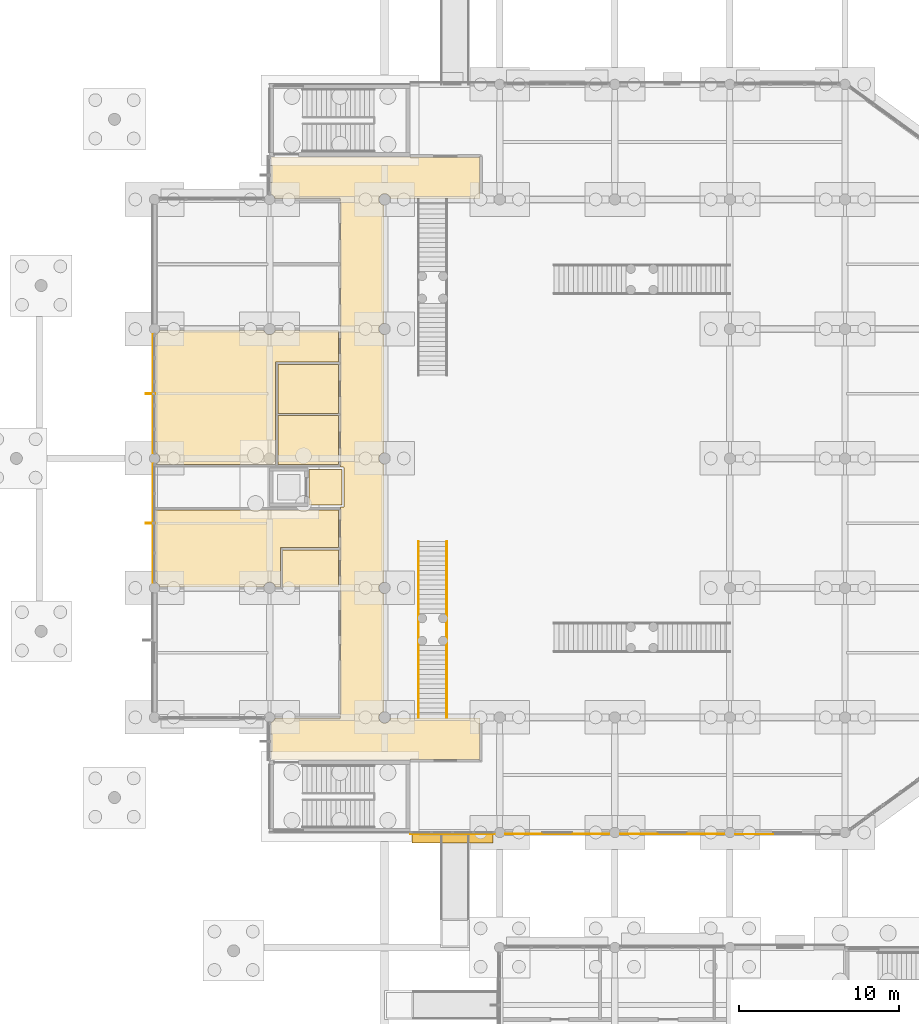
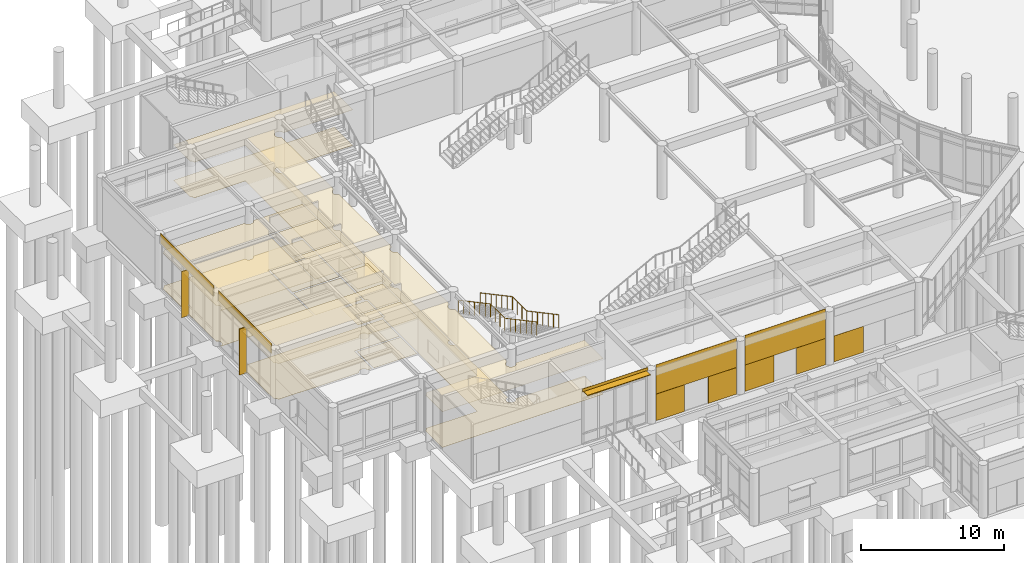
# One storey, part 79 of 103: 24 coverings, 3 shading devices, 2 railings.
"""IFC4 building model written with IfcOpenShell, lengths in metres."""

from ifc_helpers import new_model, si_unit, direction, frame, origin, origin_2d, place, context, subcontext, project, spatial, polyline, rectangle, circle, outline, extrude, material, layer, layer_set, type_object, element, save


model = new_model("IFC4")

# Units and contexts
model_context = context("Model", 3, precision=1e-05, world=origin(), true_north=direction((0.0, 1.0)))
body_context = subcontext(model_context, "Body", "Model", "MODEL_VIEW")
ifc_project = project(units=[si_unit("LENGTHUNIT", "METRE"), si_unit("AREAUNIT", "SQUARE_METRE"), si_unit("VOLUMEUNIT", "CUBIC_METRE"), si_unit("PLANEANGLEUNIT", "RADIAN"), si_unit("MASSUNIT", "GRAM", prefix="KILO")], contexts=[model_context])

# Site, building, storey
site_placement = place(None, origin())
site = spatial("IfcSite", under=ifc_project, at=site_placement, CompositionType="ELEMENT")
building_placement = place(site_placement, origin())
building = spatial("IfcBuilding", under=site, at=building_placement, Name="Namkhue Oval Health Centre", CompositionType="ELEMENT")
storey_placement = place(building_placement, origin())
storey = spatial("IfcBuildingStorey", under=building, at=storey_placement, Name="L00", CompositionType="ELEMENT", Elevation=0.0)

# Coverings
ifc_material_1 = material(Name="Acoustic mineral-fibre cleanroom ceiling", Category="gypsum")
ifc_layer_1 = layer(ifc_material_1, 0.02001953125)
ifc_layer_set_1 = layer_set([ifc_layer_1], Name="Acoustic mineral-fibre cleanroom ceiling")
covering_type_1 = type_object("IfcCoveringType", Name="ACOUSTIC CLEANROOM CEILING 20", PredefinedType="CEILING", material=ifc_layer_set_1)
covering_1_placement = place(storey_placement, frame((0.0, 0.0, 3.050048828125)))
element("IfcCovering", 1, at=covering_1_placement, inside=storey, type_object=covering_type_1, Name="Acoustic Ceiling L00-LL8 Lift Lobby LF-08", PredefinedType="CEILING", context=body_context, shape_type="SweptSolid", body=[
    extrude(outline(polyline([(24.080078125, 56.47998046875), (24.080078125, 58.719970703125), (26.1201171875, 58.719970703125), (26.1201171875, 56.47998046875), (24.080078125, 56.47998046875)])), origin(), (0.0, 0.0, 1.0), 0.02001953125),
])
covering_2_placement = place(storey_placement, frame((0.0, 0.0, 3.050048828125)))
element("IfcCovering", 2, at=covering_2_placement, inside=storey, type_object=covering_type_1, Name="Acoustic Ceiling L00-V1-C1 Main Concourse Corridor", PredefinedType="CEILING", context=body_context, shape_type="SweptSolid", body=[
    extrude(outline(polyline([(26.199951171875, 56.35009765625), (26.218994140625, 56.353759765625), (26.2353515625, 56.364501953125), (26.24609375, 56.380859375), (26.25, 56.39990234375), (26.249755859375, 58.804931640625), (26.244140625, 58.823486328125), (26.2353515625, 58.83544921875), (26.2236328125, 58.843994140625), (26.209716796875, 58.84912109375), (26.050048828125, 58.85009765625), (26.049072265625, 75.60986328125), (26.04150390625, 75.627685546875), (26.03173828125, 75.638671875), (26.01904296875, 75.646240234375), (26.0, 75.64990234375), (21.928466796875, 75.64990234375), (21.923583984375, 75.686767578125), (21.89013671875, 75.767578125), (21.8369140625, 75.8369140625), (21.767578125, 75.89013671875), (21.735107421875, 75.903564453125), (21.735107421875, 78.25), (34.75, 78.25), (34.75, 75.64990234375), (29.1533203125, 75.64990234375), (29.147705078125, 75.693115234375), (29.11181640625, 75.780029296875), (29.0546875, 75.8544921875), (28.97998046875, 75.911865234375), (28.893310546875, 75.94775390625), (28.800048828125, 75.9599609375), (28.706787109375, 75.94775390625), (28.6201171875, 75.911865234375), (28.54541015625, 75.8544921875), (28.48828125, 75.780029296875), (28.452392578125, 75.693115234375), (28.43994140625, 75.60009765625), (28.452392578125, 75.5068359375), (28.48828125, 75.419921875), (28.54541015625, 75.345458984375), (28.6201171875, 75.2880859375), (28.706787109375, 75.252197265625), (28.75, 75.24658203125), (28.75, 67.853515625), (28.706787109375, 67.84765625), (28.6201171875, 67.811767578125), (28.54541015625, 67.754638671875), (28.48828125, 67.679931640625), (28.452392578125, 67.59326171875), (28.43994140625, 67.5), (28.452392578125, 67.40673828125), (28.48828125, 67.320068359375), (28.54541015625, 67.245361328125), (28.6201171875, 67.188232421875), (28.706787109375, 67.15234375), (28.75, 67.146484375), (28.75, 59.75341796875), (28.706787109375, 59.747802734375), (28.6201171875, 59.7119140625), (28.54541015625, 59.654541015625), (28.48828125, 59.580078125), (28.452392578125, 59.4931640625), (28.43994140625, 59.39990234375), (28.452392578125, 59.306884765625), (28.48828125, 59.219970703125), (28.54541015625, 59.1455078125), (28.6201171875, 59.088134765625), (28.706787109375, 59.05224609375), (28.75, 59.046630859375), (28.75, 51.6533203125), (28.706787109375, 51.647705078125), (28.6201171875, 51.61181640625), (28.54541015625, 51.5546875), (28.48828125, 51.47998046875), (28.452392578125, 51.393310546875), (28.43994140625, 51.300048828125), (28.452392578125, 51.206787109375), (28.48828125, 51.1201171875), (28.54541015625, 51.04541015625), (28.6201171875, 50.98828125), (28.706787109375, 50.952392578125), (28.75, 50.946533203125), (28.75, 43.553466796875), (28.706787109375, 43.547607421875), (28.6201171875, 43.51171875), (28.54541015625, 43.45458984375), (28.48828125, 43.3798828125), (28.452392578125, 43.293212890625), (28.43994140625, 43.199951171875), (28.452392578125, 43.106689453125), (28.48828125, 43.02001953125), (28.54541015625, 42.9453125), (28.6201171875, 42.88818359375), (28.706787109375, 42.852294921875), (28.800048828125, 42.840087890625), (28.893310546875, 42.852294921875), (28.97998046875, 42.88818359375), (29.0546875, 42.9453125), (29.11181640625, 43.02001953125), (29.147705078125, 43.106689453125), (29.1533203125, 43.14990234375), (34.75, 43.14990234375), (34.75, 40.550048828125), (21.735107421875, 40.550048828125), (21.735107421875, 42.896484375), (21.767578125, 42.909912109375), (21.8369140625, 42.963134765625), (21.89013671875, 43.032470703125), (21.923583984375, 43.11328125), (21.928466796875, 43.14990234375), (26.0, 43.14990234375), (26.014404296875, 43.152099609375), (26.02783203125, 43.158447265625), (26.04150390625, 43.172119140625), (26.0478515625, 43.185546875), (26.050048828125, 43.199951171875), (26.050048828125, 56.35009765625), (26.199951171875, 56.35009765625)])), origin(), (0.0, 0.0, 1.0), 0.02001953125),
])
covering_3_placement = place(storey_placement, frame((0.0, 0.0, 3.050048828125)))
element("IfcCovering", 3, at=covering_3_placement, inside=storey, type_object=covering_type_1, Name="Acoustic Ceiling L00-102 Accessible WC", PredefinedType="CEILING", context=body_context, shape_type="SweptSolid", body=[
    extrude(outline(polyline([(25.919921875, 53.679931640625), (25.919921875, 51.3701171875), (22.419921875, 51.3701171875), (22.419921875, 53.679931640625), (25.919921875, 53.679931640625)])), origin(), (0.0, 0.0, 1.0), 0.02001953125),
])
covering_4_placement = place(storey_placement, frame((0.0, 0.0, 3.050048828125)))
element("IfcCovering", 4, at=covering_4_placement, inside=storey, type_object=covering_type_1, Name="Acoustic Ceiling L00-103 Baby Care and Lactation Room", PredefinedType="CEILING", context=body_context, shape_type="SweptSolid", body=[
    extrude(outline(polyline([(22.280029296875, 53.820068359375), (22.280029296875, 51.3701171875), (21.95068359375, 51.3701171875), (21.94775390625, 51.393310546875), (21.911865234375, 51.47998046875), (21.8544921875, 51.5546875), (21.780029296875, 51.61181640625), (21.693115234375, 51.647705078125), (21.60009765625, 51.659912109375), (21.5068359375, 51.647705078125), (21.419921875, 51.61181640625), (21.345458984375, 51.5546875), (21.2880859375, 51.47998046875), (21.252197265625, 51.393310546875), (21.249267578125, 51.3701171875), (14.725830078125, 51.3701171875), (14.7236328125, 51.38671875), (14.690185546875, 51.467529296875), (14.636962890625, 51.536865234375), (14.5673828125, 51.590087890625), (14.485107421875, 51.623779296875), (14.485107421875, 56.169921875), (25.919921875, 56.169921875), (25.919921875, 53.820068359375), (22.280029296875, 53.820068359375)])), origin(), (0.0, 0.0, 1.0), 0.02001953125),
])
covering_5_placement = place(storey_placement, frame((0.0, 0.0, 3.050048828125)))
element("IfcCovering", 5, at=covering_5_placement, inside=storey, type_object=covering_type_1, Name="Acoustic Ceiling L00-104 Male Public Washroom", PredefinedType="CEILING", context=body_context, shape_type="SweptSolid", body=[
    extrude(outline(polyline([(25.919921875, 62.080078125), (25.919921875, 59.02001953125), (22.1201171875, 59.02001953125), (22.1201171875, 62.080078125), (25.919921875, 62.080078125)])), origin(), (0.0, 0.0, 1.0), 0.02001953125),
])
covering_6_placement = place(storey_placement, frame((0.0, 0.0, 3.050048828125)))
element("IfcCovering", 6, at=covering_6_placement, inside=storey, type_object=covering_type_1, Name="Acoustic Ceiling L00-105 Female Public Washroom", PredefinedType="CEILING", context=body_context, shape_type="SweptSolid", body=[
    extrude(outline(polyline([(25.919921875, 65.280029296875), (25.919921875, 62.219970703125), (22.1201171875, 62.219970703125), (22.1201171875, 65.280029296875), (25.919921875, 65.280029296875)])), origin(), (0.0, 0.0, 1.0), 0.02001953125),
])
covering_7_placement = place(storey_placement, frame((0.0, 0.0, 3.050048828125)))
element("IfcCovering", 7, at=covering_7_placement, inside=storey, type_object=covering_type_1, Name="Acoustic Ceiling L00-106 Pharmacy Cold Chain Store", PredefinedType="CEILING", context=body_context, shape_type="SweptSolid", body=[
    extrude(outline(polyline([(21.97998046875, 65.419921875), (21.97998046875, 59.02001953125), (14.485107421875, 59.02001953125), (14.485107421875, 59.076171875), (14.5673828125, 59.10986328125), (14.636962890625, 59.1630859375), (14.690185546875, 59.232421875), (14.7236328125, 59.313232421875), (14.735107421875, 59.39990234375), (14.7236328125, 59.48681640625), (14.690185546875, 59.5673828125), (14.636962890625, 59.636962890625), (14.5673828125, 59.690185546875), (14.485107421875, 59.723876953125), (14.485107421875, 67.17626953125), (14.5673828125, 67.2099609375), (14.636962890625, 67.26318359375), (14.690185546875, 67.33251953125), (14.724609375, 67.419921875), (21.25048828125, 67.419921875), (21.252197265625, 67.40673828125), (21.2880859375, 67.320068359375), (21.345458984375, 67.245361328125), (21.419921875, 67.188232421875), (21.5068359375, 67.15234375), (21.60009765625, 67.139892578125), (21.693115234375, 67.15234375), (21.780029296875, 67.188232421875), (21.8544921875, 67.245361328125), (21.911865234375, 67.320068359375), (21.94775390625, 67.40673828125), (21.949462890625, 67.419921875), (25.919921875, 67.419921875), (25.919921875, 65.419921875), (21.97998046875, 65.419921875)])), origin(), (0.0, 0.0, 1.0), 0.02001953125),
])
ifc_material_2 = material(Name="Homogeneous anti-bacterial clinical vinyl flooring", Category="plastic")
ifc_layer_2 = layer(ifc_material_2, 0.014892578125)
ifc_layer_set_2 = layer_set([ifc_layer_2], Name="Homogeneous anti-bacterial clinical vinyl flooring")
covering_type_2 = type_object("IfcCoveringType", Name="CLINICAL ANTIBACTERIAL VINYL FLOORING 15", PredefinedType="FLOORING", material=ifc_layer_set_2)
covering_8_placement = place(storey_placement, origin())
element("IfcCovering", 8, at=covering_8_placement, inside=storey, type_object=covering_type_2, Name="Clinical Flooring L00-LL8 Lift Lobby LF-08", PredefinedType="FLOORING", context=body_context, shape_type="SweptSolid", body=[
    extrude(outline(polyline([(24.080078125, 56.47998046875), (24.080078125, 58.719970703125), (26.1201171875, 58.719970703125), (26.1201171875, 56.47998046875), (24.080078125, 56.47998046875)])), origin(), (0.0, 0.0, 1.0), 0.014892578125),
])
covering_9_placement = place(storey_placement, origin())
element("IfcCovering", 9, at=covering_9_placement, inside=storey, type_object=covering_type_2, Name="Clinical Flooring L00-V1-C1 Main Concourse Corridor", PredefinedType="FLOORING", context=body_context, shape_type="SweptSolid", body=[
    extrude(outline(polyline([(26.199951171875, 56.35009765625), (26.218994140625, 56.353759765625), (26.2353515625, 56.364501953125), (26.24609375, 56.380859375), (26.25, 56.39990234375), (26.249755859375, 58.804931640625), (26.244140625, 58.823486328125), (26.2353515625, 58.83544921875), (26.2236328125, 58.843994140625), (26.209716796875, 58.84912109375), (26.050048828125, 58.85009765625), (26.049072265625, 75.60986328125), (26.04150390625, 75.627685546875), (26.03173828125, 75.638671875), (26.01904296875, 75.646240234375), (26.0, 75.64990234375), (21.928466796875, 75.64990234375), (21.923583984375, 75.686767578125), (21.89013671875, 75.767578125), (21.8369140625, 75.8369140625), (21.767578125, 75.89013671875), (21.735107421875, 75.903564453125), (21.735107421875, 78.25), (34.75, 78.25), (34.75, 75.64990234375), (29.1533203125, 75.64990234375), (29.147705078125, 75.693115234375), (29.11181640625, 75.780029296875), (29.0546875, 75.8544921875), (28.97998046875, 75.911865234375), (28.893310546875, 75.94775390625), (28.800048828125, 75.9599609375), (28.706787109375, 75.94775390625), (28.6201171875, 75.911865234375), (28.54541015625, 75.8544921875), (28.48828125, 75.780029296875), (28.452392578125, 75.693115234375), (28.43994140625, 75.60009765625), (28.452392578125, 75.5068359375), (28.48828125, 75.419921875), (28.54541015625, 75.345458984375), (28.6201171875, 75.2880859375), (28.706787109375, 75.252197265625), (28.75, 75.24658203125), (28.75, 67.853515625), (28.706787109375, 67.84765625), (28.6201171875, 67.811767578125), (28.54541015625, 67.754638671875), (28.48828125, 67.679931640625), (28.452392578125, 67.59326171875), (28.43994140625, 67.5), (28.452392578125, 67.40673828125), (28.48828125, 67.320068359375), (28.54541015625, 67.245361328125), (28.6201171875, 67.188232421875), (28.706787109375, 67.15234375), (28.75, 67.146484375), (28.75, 59.75341796875), (28.706787109375, 59.747802734375), (28.6201171875, 59.7119140625), (28.54541015625, 59.654541015625), (28.48828125, 59.580078125), (28.452392578125, 59.4931640625), (28.43994140625, 59.39990234375), (28.452392578125, 59.306884765625), (28.48828125, 59.219970703125), (28.54541015625, 59.1455078125), (28.6201171875, 59.088134765625), (28.706787109375, 59.05224609375), (28.75, 59.046630859375), (28.75, 51.6533203125), (28.706787109375, 51.647705078125), (28.6201171875, 51.61181640625), (28.54541015625, 51.5546875), (28.48828125, 51.47998046875), (28.452392578125, 51.393310546875), (28.43994140625, 51.300048828125), (28.452392578125, 51.206787109375), (28.48828125, 51.1201171875), (28.54541015625, 51.04541015625), (28.6201171875, 50.98828125), (28.706787109375, 50.952392578125), (28.75, 50.946533203125), (28.75, 43.553466796875), (28.706787109375, 43.547607421875), (28.6201171875, 43.51171875), (28.54541015625, 43.45458984375), (28.48828125, 43.3798828125), (28.452392578125, 43.293212890625), (28.43994140625, 43.199951171875), (28.452392578125, 43.106689453125), (28.48828125, 43.02001953125), (28.54541015625, 42.9453125), (28.6201171875, 42.88818359375), (28.706787109375, 42.852294921875), (28.800048828125, 42.840087890625), (28.893310546875, 42.852294921875), (28.97998046875, 42.88818359375), (29.0546875, 42.9453125), (29.11181640625, 43.02001953125), (29.147705078125, 43.106689453125), (29.1533203125, 43.14990234375), (34.75, 43.14990234375), (34.75, 40.550048828125), (21.735107421875, 40.550048828125), (21.735107421875, 42.896484375), (21.767578125, 42.909912109375), (21.8369140625, 42.963134765625), (21.89013671875, 43.032470703125), (21.923583984375, 43.11328125), (21.928466796875, 43.14990234375), (26.0, 43.14990234375), (26.014404296875, 43.152099609375), (26.02783203125, 43.158447265625), (26.04150390625, 43.172119140625), (26.0478515625, 43.185546875), (26.050048828125, 43.199951171875), (26.050048828125, 56.35009765625), (26.199951171875, 56.35009765625)])), origin(), (0.0, 0.0, 1.0), 0.014892578125),
])
covering_10_placement = place(storey_placement, origin())
element("IfcCovering", 10, at=covering_10_placement, inside=storey, type_object=covering_type_2, Name="Clinical Flooring L00-102 Accessible WC", PredefinedType="FLOORING", context=body_context, shape_type="SweptSolid", body=[
    extrude(outline(polyline([(25.919921875, 53.679931640625), (25.919921875, 51.3701171875), (22.419921875, 51.3701171875), (22.419921875, 53.679931640625), (25.919921875, 53.679931640625)])), origin(), (0.0, 0.0, 1.0), 0.014892578125),
])
covering_11_placement = place(storey_placement, origin())
element("IfcCovering", 11, at=covering_11_placement, inside=storey, type_object=covering_type_2, Name="Clinical Flooring L00-103 Baby Care and Lactation Room", PredefinedType="FLOORING", context=body_context, shape_type="SweptSolid", body=[
    extrude(outline(polyline([(22.280029296875, 53.820068359375), (22.280029296875, 51.3701171875), (21.95068359375, 51.3701171875), (21.94775390625, 51.393310546875), (21.911865234375, 51.47998046875), (21.8544921875, 51.5546875), (21.780029296875, 51.61181640625), (21.693115234375, 51.647705078125), (21.60009765625, 51.659912109375), (21.5068359375, 51.647705078125), (21.419921875, 51.61181640625), (21.345458984375, 51.5546875), (21.2880859375, 51.47998046875), (21.252197265625, 51.393310546875), (21.249267578125, 51.3701171875), (14.725830078125, 51.3701171875), (14.7236328125, 51.38671875), (14.690185546875, 51.467529296875), (14.636962890625, 51.536865234375), (14.5673828125, 51.590087890625), (14.485107421875, 51.623779296875), (14.485107421875, 56.169921875), (25.919921875, 56.169921875), (25.919921875, 53.820068359375), (22.280029296875, 53.820068359375)])), origin(), (0.0, 0.0, 1.0), 0.014892578125),
])
covering_12_placement = place(storey_placement, origin())
element("IfcCovering", 12, at=covering_12_placement, inside=storey, type_object=covering_type_2, Name="Clinical Flooring L00-104 Male Public Washroom", PredefinedType="FLOORING", context=body_context, shape_type="SweptSolid", body=[
    extrude(outline(polyline([(25.919921875, 62.080078125), (25.919921875, 59.02001953125), (22.1201171875, 59.02001953125), (22.1201171875, 62.080078125), (25.919921875, 62.080078125)])), origin(), (0.0, 0.0, 1.0), 0.014892578125),
])
covering_13_placement = place(storey_placement, origin())
element("IfcCovering", 13, at=covering_13_placement, inside=storey, type_object=covering_type_2, Name="Clinical Flooring L00-105 Female Public Washroom", PredefinedType="FLOORING", context=body_context, shape_type="SweptSolid", body=[
    extrude(outline(polyline([(25.919921875, 65.280029296875), (25.919921875, 62.219970703125), (22.1201171875, 62.219970703125), (22.1201171875, 65.280029296875), (25.919921875, 65.280029296875)])), origin(), (0.0, 0.0, 1.0), 0.014892578125),
])
covering_14_placement = place(storey_placement, origin())
element("IfcCovering", 14, at=covering_14_placement, inside=storey, type_object=covering_type_2, Name="Clinical Flooring L00-106 Pharmacy Cold Chain Store", PredefinedType="FLOORING", context=body_context, shape_type="SweptSolid", body=[
    extrude(outline(polyline([(21.97998046875, 65.419921875), (21.97998046875, 59.02001953125), (14.485107421875, 59.02001953125), (14.485107421875, 59.076171875), (14.5673828125, 59.10986328125), (14.636962890625, 59.1630859375), (14.690185546875, 59.232421875), (14.7236328125, 59.313232421875), (14.735107421875, 59.39990234375), (14.7236328125, 59.48681640625), (14.690185546875, 59.5673828125), (14.636962890625, 59.636962890625), (14.5673828125, 59.690185546875), (14.485107421875, 59.723876953125), (14.485107421875, 67.17626953125), (14.5673828125, 67.2099609375), (14.636962890625, 67.26318359375), (14.690185546875, 67.33251953125), (14.724609375, 67.419921875), (21.25048828125, 67.419921875), (21.252197265625, 67.40673828125), (21.2880859375, 67.320068359375), (21.345458984375, 67.245361328125), (21.419921875, 67.188232421875), (21.5068359375, 67.15234375), (21.60009765625, 67.139892578125), (21.693115234375, 67.15234375), (21.780029296875, 67.188232421875), (21.8544921875, 67.245361328125), (21.911865234375, 67.320068359375), (21.94775390625, 67.40673828125), (21.949462890625, 67.419921875), (25.919921875, 67.419921875), (25.919921875, 65.419921875), (21.97998046875, 65.419921875)])), origin(), (0.0, 0.0, 1.0), 0.014892578125),
])

# Railings
ifc_material_3 = material(Name="Brushed stainless steel 316L balustrade with laminated glass infill", Category="steel")
railing_type = type_object("IfcRailingType", Name="INTERIOR BALUSTRADE GUARD 1150", PredefinedType="BALUSTRADE", material=ifc_material_3)
railing_1_placement = place(storey_placement, frame((32.68994140625, 54.195068359375, 0.0)))
element("IfcRailing", 15, at=railing_1_placement, inside=storey, type_object=railing_type, Name="Waiting Hall South Gallery Feature Stair Balustrade Guard L", PredefinedType="BALUSTRADE", context=body_context, shape_type="SweptSolid", body=[
    extrude(circle(Radius=0.02392578125, at=origin_2d()), frame((0.0, 0.0, 1.1259765625), z_axis=(0.0, -0.882148612025, 0.470971152303), x_axis=(1.0, 0.0, 0.0)), (0.0, 0.0, 1.0), 5.095703125),
    extrude(circle(Radius=0.02392578125, at=origin_2d()), frame((0.0, -4.4951171875, 3.52587890625), z_axis=(0.0, -1.0, 0.0), x_axis=(1.0, 0.0, 0.0)), (0.0, 0.0, 1.0), 2.010009765625),
    extrude(circle(Radius=0.02392578125, at=origin_2d()), frame((0.0, -6.505126953125, 3.52587890625), z_axis=(0.0, -0.882118076439, 0.471028342267), x_axis=(1.0, 0.0, 0.0)), (0.0, 0.0, 1.0), 5.095458984375),
    extrude(circle(Radius=0.02099609375, at=origin_2d()), origin(), (0.0, 0.0, 1.0), 1.101806640625),
    extrude(circle(Radius=0.02099609375, at=origin_2d()), frame((0.0, -0.749267578125, 0.39990234375)), (0.0, 0.0, 1.0), 1.101806640625),
    extrude(circle(Radius=0.02099609375, at=origin_2d()), frame((0.0, -1.498291015625, 0.800048828125)), (0.0, 0.0, 1.0), 1.101806640625),
    extrude(circle(Radius=0.02099609375, at=origin_2d()), frame((0.0, -2.24755859375, 1.199951171875)), (0.0, 0.0, 1.0), 1.101806640625),
    extrude(circle(Radius=0.02099609375, at=origin_2d()), frame((0.0, -2.996826171875, 1.599853515625)), (0.0, 0.0, 1.0), 1.101806640625),
    extrude(circle(Radius=0.02099609375, at=origin_2d()), frame((0.0, -3.745849609375, 2.0)), (0.0, 0.0, 1.0), 1.101806640625),
    extrude(circle(Radius=0.02099609375, at=origin_2d()), frame((0.0, -4.4951171875, 2.39990234375)), (0.0, 0.0, 1.0), 1.101806640625),
    extrude(circle(Radius=0.02099609375, at=origin_2d()), frame((0.0, -5.1650390625, 2.39990234375)), (0.0, 0.0, 1.0), 1.101806640625),
    extrude(circle(Radius=0.02099609375, at=origin_2d()), frame((0.0, -5.835205078125, 2.39990234375)), (0.0, 0.0, 1.0), 1.101806640625),
    extrude(circle(Radius=0.02099609375, at=origin_2d()), frame((0.0, -6.505126953125, 2.39990234375)), (0.0, 0.0, 1.0), 1.101806640625),
    extrude(circle(Radius=0.02099609375, at=origin_2d()), frame((0.0, -7.25439453125, 2.7998046875)), (0.0, 0.0, 1.0), 1.101806640625),
    extrude(circle(Radius=0.02099609375, at=origin_2d()), frame((0.0, -8.00341796875, 3.199951171875)), (0.0, 0.0, 1.0), 1.101806640625),
    extrude(circle(Radius=0.02099609375, at=origin_2d()), frame((0.0, -8.75244140625, 3.60009765625)), (0.0, 0.0, 1.0), 1.101806640625),
    extrude(circle(Radius=0.02099609375, at=origin_2d()), frame((0.0, -9.501708984375, 4.0)), (0.0, 0.0, 1.0), 1.101806640625),
    extrude(circle(Radius=0.02099609375, at=origin_2d()), frame((0.0, -10.2509765625, 4.39990234375)), (0.0, 0.0, 1.0), 1.101806640625),
    extrude(circle(Radius=0.02099609375, at=origin_2d()), frame((0.0, -11.0, 4.800048828125)), (0.0, 0.0, 1.0), 1.101806640625),
])
railing_2_placement = place(storey_placement, frame((30.909912109375, 54.195068359375, 0.0)))
element("IfcRailing", 16, at=railing_2_placement, inside=storey, type_object=railing_type, Name="Waiting Hall South Gallery Feature Stair Balustrade Guard R", PredefinedType="BALUSTRADE", context=body_context, shape_type="SweptSolid", body=[
    extrude(circle(Radius=0.02392578125, at=origin_2d()), frame((0.0, 0.0, 1.1259765625), z_axis=(0.0, -0.882148612025, 0.470971152303), x_axis=(1.0, 0.0, 0.0)), (0.0, 0.0, 1.0), 5.095703125),
    extrude(circle(Radius=0.02392578125, at=origin_2d()), frame((0.0, -4.4951171875, 3.52587890625), z_axis=(0.0, -1.0, 0.0), x_axis=(1.0, 0.0, 0.0)), (0.0, 0.0, 1.0), 2.010009765625),
    extrude(circle(Radius=0.02392578125, at=origin_2d()), frame((0.0, -6.505126953125, 3.52587890625), z_axis=(0.0, -0.882118076439, 0.471028342267), x_axis=(1.0, 0.0, 0.0)), (0.0, 0.0, 1.0), 5.095458984375),
    extrude(circle(Radius=0.02099609375, at=origin_2d()), origin(), (0.0, 0.0, 1.0), 1.101806640625),
    extrude(circle(Radius=0.02099609375, at=origin_2d()), frame((0.0, -0.749267578125, 0.39990234375)), (0.0, 0.0, 1.0), 1.101806640625),
    extrude(circle(Radius=0.02099609375, at=origin_2d()), frame((0.0, -1.498291015625, 0.800048828125)), (0.0, 0.0, 1.0), 1.101806640625),
    extrude(circle(Radius=0.02099609375, at=origin_2d()), frame((0.0, -2.24755859375, 1.199951171875)), (0.0, 0.0, 1.0), 1.101806640625),
    extrude(circle(Radius=0.02099609375, at=origin_2d()), frame((0.0, -2.996826171875, 1.599853515625)), (0.0, 0.0, 1.0), 1.101806640625),
    extrude(circle(Radius=0.02099609375, at=origin_2d()), frame((0.0, -3.745849609375, 2.0)), (0.0, 0.0, 1.0), 1.101806640625),
    extrude(circle(Radius=0.02099609375, at=origin_2d()), frame((0.0, -4.4951171875, 2.39990234375)), (0.0, 0.0, 1.0), 1.101806640625),
    extrude(circle(Radius=0.02099609375, at=origin_2d()), frame((0.0, -5.1650390625, 2.39990234375)), (0.0, 0.0, 1.0), 1.101806640625),
    extrude(circle(Radius=0.02099609375, at=origin_2d()), frame((0.0, -5.835205078125, 2.39990234375)), (0.0, 0.0, 1.0), 1.101806640625),
    extrude(circle(Radius=0.02099609375, at=origin_2d()), frame((0.0, -6.505126953125, 2.39990234375)), (0.0, 0.0, 1.0), 1.101806640625),
    extrude(circle(Radius=0.02099609375, at=origin_2d()), frame((0.0, -7.25439453125, 2.7998046875)), (0.0, 0.0, 1.0), 1.101806640625),
    extrude(circle(Radius=0.02099609375, at=origin_2d()), frame((0.0, -8.00341796875, 3.199951171875)), (0.0, 0.0, 1.0), 1.101806640625),
    extrude(circle(Radius=0.02099609375, at=origin_2d()), frame((0.0, -8.75244140625, 3.60009765625)), (0.0, 0.0, 1.0), 1.101806640625),
    extrude(circle(Radius=0.02099609375, at=origin_2d()), frame((0.0, -9.501708984375, 4.0)), (0.0, 0.0, 1.0), 1.101806640625),
    extrude(circle(Radius=0.02099609375, at=origin_2d()), frame((0.0, -10.2509765625, 4.39990234375)), (0.0, 0.0, 1.0), 1.101806640625),
    extrude(circle(Radius=0.02099609375, at=origin_2d()), frame((0.0, -11.0, 4.800048828125)), (0.0, 0.0, 1.0), 1.101806640625),
])

# Shading devices
ifc_material_4 = material(Name="Anodised aluminium EN AW-6063 T6", Category="aluminium")
ifc_layer_3 = layer(ifc_material_4, 0.050048828125)
ifc_layer_set_3 = layer_set([ifc_layer_3], Name="Anodised aluminium EN AW-6063 T6")
shading_device_type_1 = type_object("IfcShadingDeviceType", Name="STORM SHUTTER LOUVRE 650", PredefinedType="SHUTTER", material=ifc_layer_set_3)
shading_device_placement = place(storey_placement, frame((33.041015625, 35.675048828125, 4.494873046875), z_axis=(0.0, 0.0, 1.0), x_axis=(1.0, 0.0, 0.0)))
element("IfcShadingDevice", 17, at=shading_device_placement, inside=storey, type_object=shading_device_type_1, Name="Volume V1 L00 Horizontal Monsoon Sun Louvre 1", PredefinedType="SHUTTER", context=body_context, shape_type="SweptSolid", body=[
    extrude(rectangle(XDim=5.077880859375, YDim=0.64990234375, at=origin_2d()), origin(), (0.0, 0.0, 1.0), 0.06005859375),
])
shading_device_type_2 = type_object("IfcShadingDeviceType", Name="VERTICAL SOLAR FIN 600", PredefinedType="USERDEFINED", material=ifc_material_4)
for number, where, z_axis, x_axis, name in (
    (18, (14.139892578125, 63.449951171875, 0.0), (0.0, 0.0, 1.0), (-1.0, 0.0, 0.0), "Volume V1 L00 Extruded Aluminium Solar Fin 18"),
    (19, (14.139892578125, 55.35009765625, 0.0), (0.0, 0.0, 1.0), (-1.0, 0.0, 0.0), "Volume V1 L00 Extruded Aluminium Solar Fin 19"),
):
    element("IfcShadingDevice", number, at=place(storey_placement, frame(where, z_axis=z_axis, x_axis=x_axis)), inside=storey, type_object=shading_device_type_2, Name=name, ObjectType="SOLAR FIN", PredefinedType="USERDEFINED", context=body_context, shape_type="SweptSolid", body=[
        extrude(rectangle(XDim=0.60009765625, YDim=0.06005859375, at=origin_2d()), origin(), (0.0, 0.0, 1.0), 3.93994140625),
    ])

# Coverings
ifc_material_5 = material(Name="White glass-fibre reinforced concrete GRC rainscreen cladding", Category="concrete")
ifc_layer_4 = layer(ifc_material_5, 0.02490234375)
ifc_layer_set_4 = layer_set([ifc_layer_4], Name="White glass-fibre reinforced concrete GRC rainscreen cladding")
covering_type_3 = type_object("IfcCoveringType", Name="WHITE GRC RAINSCREEN CLADDING 25", PredefinedType="CLADDING", material=ifc_layer_set_4)
covering_15_placement = place(storey_placement, frame((33.041015625, 35.91162109375, 4.550048828125), z_axis=(0.0, 0.0, 1.0), x_axis=(1.0, 0.0, 0.0)))
element("IfcCovering", 20, at=covering_15_placement, inside=storey, type_object=covering_type_3, Name="Volume V1 L00 Curtain Wall Spandrel Cladding 1", PredefinedType="CLADDING", context=body_context, shape_type="SweptSolid", body=[
    extrude(rectangle(XDim=5.26806640625, YDim=0.02490234375, at=origin_2d()), origin(), (0.0, 0.0, 1.0), 0.25),
])
covering_16_placement = place(storey_placement, frame((39.60009765625, 35.89794921875, 2.294921875), z_axis=(0.0, 0.0, 1.0), x_axis=(1.0, 0.0, 0.0)))
element("IfcCovering", 21, at=covering_16_placement, inside=storey, type_object=covering_type_3, Name="Volume V1 L00 Facade 1 White GRC Cladding 1", PredefinedType="CLADDING", context=body_context, shape_type="SweptSolid", body=[
    extrude(rectangle(XDim=6.52001953125, YDim=0.02490234375, at=origin_2d()), origin(), (0.0, 0.0, 1.0), 2.4951171875),
])
for number, where, z_axis, x_axis, name in (
    (22, (37.487548828125, 35.89794921875, 0.009765625), (0.0, 0.0, 1.0), (1.0, 0.0, 0.0), "Volume V1 L00 Facade 1 White GRC Cladding 2"),
    (23, (41.71240234375, 35.89794921875, 0.009765625), (0.0, 0.0, 1.0), (1.0, 0.0, 0.0), "Volume V1 L00 Facade 1 White GRC Cladding 3"),
):
    element("IfcCovering", number, at=place(storey_placement, frame(where, z_axis=z_axis, x_axis=x_axis)), inside=storey, type_object=covering_type_3, Name=name, PredefinedType="CLADDING", context=body_context, shape_type="SweptSolid", body=[
        extrude(rectangle(XDim=2.294921875, YDim=0.02490234375, at=origin_2d()), origin(), (0.0, 0.0, 1.0), 2.280029296875),
    ])
covering_17_placement = place(storey_placement, frame((46.800048828125, 35.89306640625, 2.26513671875), z_axis=(0.0, 0.0, 1.0), x_axis=(1.0, 0.0, 0.0)))
element("IfcCovering", 24, at=covering_17_placement, inside=storey, type_object=covering_type_3, Name="Volume V1 L00 Facade 2 White GRC Cladding 1", PredefinedType="CLADDING", context=body_context, shape_type="SweptSolid", body=[
    extrude(rectangle(XDim=6.52001953125, YDim=0.02490234375, at=origin_2d()), origin(), (0.0, 0.0, 1.0), 2.52490234375),
])
for number, where, z_axis, x_axis, name in (
    (25, (44.71240234375, 35.89306640625, 0.010009765625), (0.0, 0.0, 1.0), (1.0, 0.0, 0.0), "Volume V1 L00 Facade 2 White GRC Cladding 2"),
    (26, (48.887451171875, 35.89306640625, 0.010009765625), (0.0, 0.0, 1.0), (1.0, 0.0, 0.0), "Volume V1 L00 Facade 2 White GRC Cladding 3"),
):
    element("IfcCovering", number, at=place(storey_placement, frame(where, z_axis=z_axis, x_axis=x_axis)), inside=storey, type_object=covering_type_3, Name=name, PredefinedType="CLADDING", context=body_context, shape_type="SweptSolid", body=[
        extrude(rectangle(XDim=2.344970703125, YDim=0.02490234375, at=origin_2d()), origin(), (0.0, 0.0, 1.0), 2.25),
    ])
covering_18_placement = place(storey_placement, frame((51.925048828125, 35.887939453125, 0.01025390625), z_axis=(0.0, 0.0, 1.0), x_axis=(1.0, 0.0, 0.0)))
element("IfcCovering", 27, at=covering_18_placement, inside=storey, type_object=covering_type_3, Name="Volume V1 L00 Facade 3 White GRC Cladding 2", PredefinedType="CLADDING", context=body_context, shape_type="SweptSolid", body=[
    extrude(rectangle(XDim=2.3701171875, YDim=0.02490234375, at=origin_2d()), origin(), (0.0, 0.0, 1.0), 2.219970703125),
])
for number, where, z_axis, x_axis, name in (
    (28, (14.3115234375, 63.449951171875, 3.925048828125), (0.0, 0.0, 1.0), (0.0, -1.0, 0.0), "Volume V1 L00 Curtain Wall Spandrel Cladding 16"),
    (29, (14.3115234375, 55.35009765625, 3.925048828125), (0.0, 0.0, 1.0), (0.0, -1.0, 0.0), "Volume V1 L00 Curtain Wall Spandrel Cladding 17"),
):
    element("IfcCovering", number, at=place(storey_placement, frame(where, z_axis=z_axis, x_axis=x_axis)), inside=storey, type_object=covering_type_3, Name=name, PredefinedType="CLADDING", context=body_context, shape_type="SweptSolid", body=[
        extrude(rectangle(XDim=7.449951171875, YDim=0.02490234375, at=origin_2d()), origin(), (0.0, 0.0, 1.0), 0.875),
    ])

save(model, "model.ifc")
